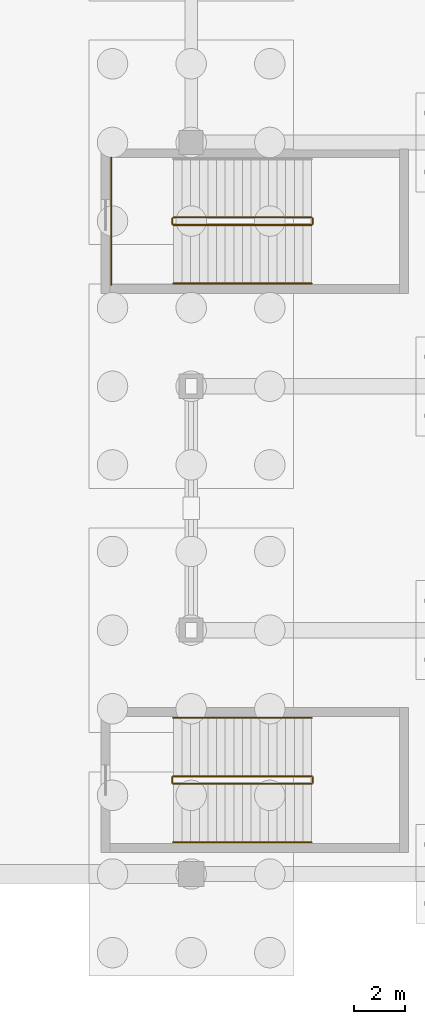
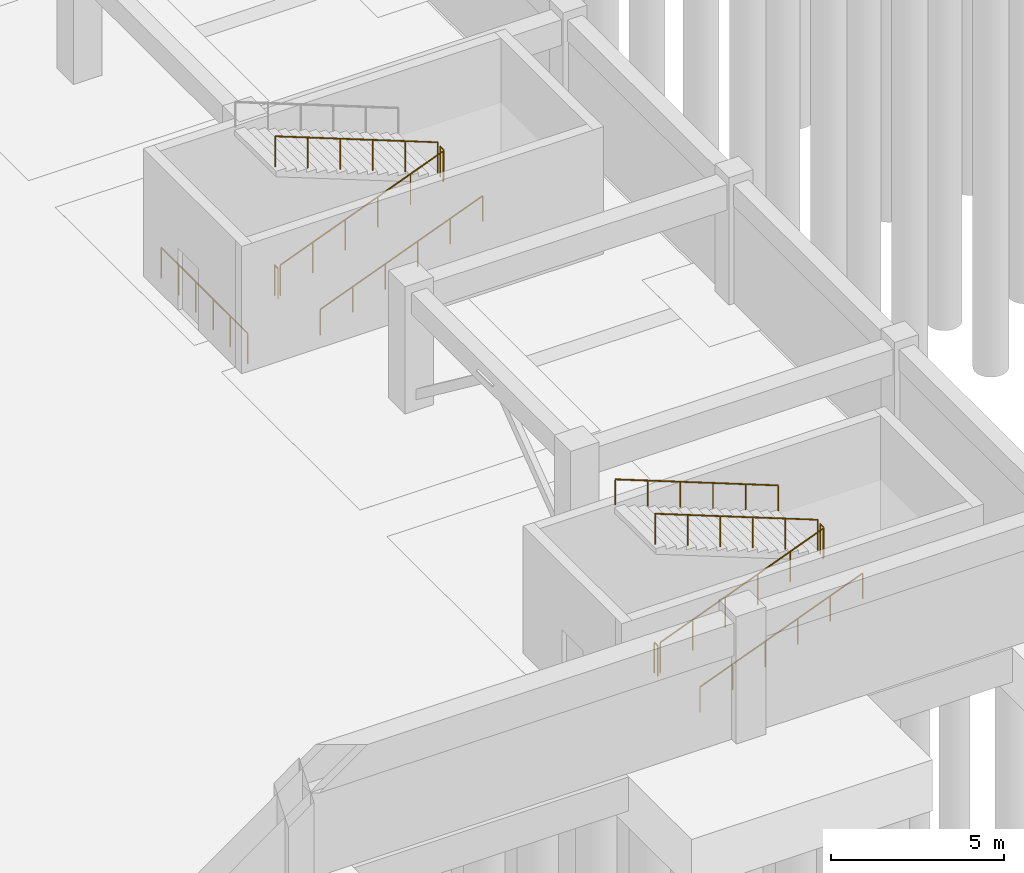
# One storey, part 26 of 33: 12 railings.
"""IFC4 building model written with IfcOpenShell, lengths in metres."""

from ifc_helpers import new_model, si_unit, direction, frame, origin, origin_2d, place, context, subcontext, project, spatial, circle, extrude, material, type_object, element, save


model = new_model("IFC4")

# Units and contexts
model_context = context("Model", 3, precision=1e-05, world=origin(), true_north=direction((0.0, 1.0)))
body_context = subcontext(model_context, "Body", "Model", "MODEL_VIEW")
ifc_project = project(units=[si_unit("LENGTHUNIT", "METRE"), si_unit("AREAUNIT", "SQUARE_METRE"), si_unit("VOLUMEUNIT", "CUBIC_METRE"), si_unit("PLANEANGLEUNIT", "RADIAN"), si_unit("MASSUNIT", "GRAM", prefix="KILO")], contexts=[model_context])

# Site, building, storey
site_placement = place(None, origin())
site = spatial("IfcSite", under=ifc_project, at=site_placement, CompositionType="ELEMENT")
building_placement = place(site_placement, origin())
building = spatial("IfcBuilding", under=site, at=building_placement, Name="Veldera Park Congress Hotel", CompositionType="ELEMENT")
storey_placement = place(building_placement, frame((0.0, 0.0, -4.5)))
storey = spatial("IfcBuildingStorey", under=building, at=storey_placement, Name="B1", CompositionType="ELEMENT", Elevation=-4.5)

# Railings
ifc_material = material(Name="Steel ASTM A992 Gr.50", Category="steel")
railing_type_1 = type_object("IfcRailingType", Name="GRD-ST110", PredefinedType="GUARDRAIL", material=ifc_material)
railing_1_placement = place(storey_placement, frame((-13.10009765625, -17.449951171875, 0.13232421875)))
element("IfcRailing", 1, at=railing_1_placement, inside=storey, type_object=railing_type_1, Name="B1 ST5 stair guard 1", PredefinedType="GUARDRAIL", context=body_context, shape_type="SweptSolid", body=[
    extrude(circle(Radius=0.02392578125, at=origin_2d()), frame((0.0, 0.0, 1.076171875), z_axis=(0.931886111629, 0.0, 0.362750982016), x_axis=(0.0, 1.0, 0.0)), (0.0, 0.0, 1.0), 5.837890625),
    extrude(circle(Radius=0.02099609375, at=origin_2d()), origin(), (0.0, 0.0, 1.0), 1.052001953125),
    extrude(circle(Radius=0.02099609375, at=origin_2d()), frame((1.088134765625, 0.0, 0.423583984375)), (0.0, 0.0, 1.0), 1.052001953125),
    extrude(circle(Radius=0.02099609375, at=origin_2d()), frame((2.176025390625, 0.0, 0.84716796875)), (0.0, 0.0, 1.0), 1.052001953125),
    extrude(circle(Radius=0.02099609375, at=origin_2d()), frame((3.26416015625, 0.0, 1.2705078125)), (0.0, 0.0, 1.0), 1.052001953125),
    extrude(circle(Radius=0.02099609375, at=origin_2d()), frame((4.35205078125, 0.0, 1.694091796875)), (0.0, 0.0, 1.0), 1.052001953125),
    extrude(circle(Radius=0.02099609375, at=origin_2d()), frame((5.440185546875, 0.0, 2.11767578125)), (0.0, 0.0, 1.0), 1.052001953125),
])
railing_2_placement = place(storey_placement, frame((-7.610107421875, -17.39990234375, 2.25)))
element("IfcRailing", 2, at=railing_2_placement, inside=storey, type_object=railing_type_1, Name="B1 ST5 stair guard 2", PredefinedType="GUARDRAIL", context=body_context, shape_type="SweptSolid", body=[
    extrude(circle(Radius=0.02392578125, at=origin_2d()), frame((0.0, 0.0, 1.076171875), z_axis=(0.0, 1.0, 0.0), x_axis=(-1.0, 0.0, 0.0)), (0.0, 0.0, 1.0), 0.199951171875),
    extrude(circle(Radius=0.02099609375, at=origin_2d()), origin(), (0.0, 0.0, 1.0), 1.052001953125),
    extrude(circle(Radius=0.02099609375, at=origin_2d()), frame((0.0, 0.199951171875, 0.0)), (0.0, 0.0, 1.0), 1.052001953125),
])
railing_3_placement = place(storey_placement, frame((-7.659912109375, -17.14990234375, 2.38232421875)))
element("IfcRailing", 3, at=railing_3_placement, inside=storey, type_object=railing_type_1, Name="B1 ST5 stair guard 3", PredefinedType="GUARDRAIL", context=body_context, shape_type="SweptSolid", body=[
    extrude(circle(Radius=0.02392578125, at=origin_2d()), frame((0.0, 0.0, 1.076171875), z_axis=(-0.931886111629, 0.0, 0.362750982016), x_axis=(0.0, -1.0, 0.0)), (0.0, 0.0, 1.0), 5.837890625),
    extrude(circle(Radius=0.02099609375, at=origin_2d()), origin(), (0.0, 0.0, 1.0), 1.052001953125),
    extrude(circle(Radius=0.02099609375, at=origin_2d()), frame((-1.088134765625, 0.0, 0.423583984375)), (0.0, 0.0, 1.0), 1.052001953125),
    extrude(circle(Radius=0.02099609375, at=origin_2d()), frame((-2.176025390625, 0.0, 0.84716796875)), (0.0, 0.0, 1.0), 1.052001953125),
    extrude(circle(Radius=0.02099609375, at=origin_2d()), frame((-3.26416015625, 0.0, 1.2705078125)), (0.0, 0.0, 1.0), 1.052001953125),
    extrude(circle(Radius=0.02099609375, at=origin_2d()), frame((-4.35205078125, 0.0, 1.694091796875)), (0.0, 0.0, 1.0), 1.052001953125),
    extrude(circle(Radius=0.02099609375, at=origin_2d()), frame((-5.440185546875, 0.0, 2.11767578125)), (0.0, 0.0, 1.0), 1.052001953125),
])
railing_4_placement = place(storey_placement, frame((-13.14990234375, -17.39990234375, 0.0)))
element("IfcRailing", 4, at=railing_4_placement, inside=storey, type_object=railing_type_1, Name="B1 ST5 stair guard 4", PredefinedType="GUARDRAIL", context=body_context, shape_type="SweptSolid", body=[
    extrude(circle(Radius=0.02392578125, at=origin_2d()), frame((0.0, 0.0, 1.076171875), z_axis=(0.0, 1.0, 0.0), x_axis=(-1.0, 0.0, 0.0)), (0.0, 0.0, 1.0), 0.199951171875),
    extrude(circle(Radius=0.02099609375, at=origin_2d()), origin(), (0.0, 0.0, 1.0), 1.052001953125),
    extrude(circle(Radius=0.02099609375, at=origin_2d()), frame((0.0, 0.199951171875, 0.0)), (0.0, 0.0, 1.0), 1.052001953125),
])
railing_5_placement = place(storey_placement, frame((-13.10009765625, 4.550048828125, 0.13232421875)))
element("IfcRailing", 5, at=railing_5_placement, inside=storey, type_object=railing_type_1, Name="B1 ST9 stair guard 1", PredefinedType="GUARDRAIL", context=body_context, shape_type="SweptSolid", body=[
    extrude(circle(Radius=0.02392578125, at=origin_2d()), frame((0.0, 0.0, 1.076171875), z_axis=(0.931886111629, 0.0, 0.362750982016), x_axis=(0.0, 1.0, 0.0)), (0.0, 0.0, 1.0), 5.837890625),
    extrude(circle(Radius=0.02099609375, at=origin_2d()), origin(), (0.0, 0.0, 1.0), 1.052001953125),
    extrude(circle(Radius=0.02099609375, at=origin_2d()), frame((1.088134765625, 0.0, 0.423583984375)), (0.0, 0.0, 1.0), 1.052001953125),
    extrude(circle(Radius=0.02099609375, at=origin_2d()), frame((2.176025390625, 0.0, 0.84716796875)), (0.0, 0.0, 1.0), 1.052001953125),
    extrude(circle(Radius=0.02099609375, at=origin_2d()), frame((3.26416015625, 0.0, 1.2705078125)), (0.0, 0.0, 1.0), 1.052001953125),
    extrude(circle(Radius=0.02099609375, at=origin_2d()), frame((4.35205078125, 0.0, 1.694091796875)), (0.0, 0.0, 1.0), 1.052001953125),
    extrude(circle(Radius=0.02099609375, at=origin_2d()), frame((5.440185546875, 0.0, 2.11767578125)), (0.0, 0.0, 1.0), 1.052001953125),
])
railing_6_placement = place(storey_placement, frame((-7.610107421875, 4.60009765625, 2.25)))
element("IfcRailing", 6, at=railing_6_placement, inside=storey, type_object=railing_type_1, Name="B1 ST9 stair guard 2", PredefinedType="GUARDRAIL", context=body_context, shape_type="SweptSolid", body=[
    extrude(circle(Radius=0.02392578125, at=origin_2d()), frame((0.0, 0.0, 1.076171875), z_axis=(0.0, 1.0, 0.0), x_axis=(-1.0, 0.0, 0.0)), (0.0, 0.0, 1.0), 0.199951171875),
    extrude(circle(Radius=0.02099609375, at=origin_2d()), origin(), (0.0, 0.0, 1.0), 1.052001953125),
    extrude(circle(Radius=0.02099609375, at=origin_2d()), frame((0.0, 0.199951171875, 0.0)), (0.0, 0.0, 1.0), 1.052001953125),
])
railing_7_placement = place(storey_placement, frame((-7.659912109375, 4.85009765625, 2.38232421875)))
element("IfcRailing", 7, at=railing_7_placement, inside=storey, type_object=railing_type_1, Name="B1 ST9 stair guard 3", PredefinedType="GUARDRAIL", context=body_context, shape_type="SweptSolid", body=[
    extrude(circle(Radius=0.02392578125, at=origin_2d()), frame((0.0, 0.0, 1.076171875), z_axis=(-0.931886111629, 0.0, 0.362750982016), x_axis=(0.0, -1.0, 0.0)), (0.0, 0.0, 1.0), 5.837890625),
    extrude(circle(Radius=0.02099609375, at=origin_2d()), origin(), (0.0, 0.0, 1.0), 1.052001953125),
    extrude(circle(Radius=0.02099609375, at=origin_2d()), frame((-1.088134765625, 0.0, 0.423583984375)), (0.0, 0.0, 1.0), 1.052001953125),
    extrude(circle(Radius=0.02099609375, at=origin_2d()), frame((-2.176025390625, 0.0, 0.84716796875)), (0.0, 0.0, 1.0), 1.052001953125),
    extrude(circle(Radius=0.02099609375, at=origin_2d()), frame((-3.26416015625, 0.0, 1.2705078125)), (0.0, 0.0, 1.0), 1.052001953125),
    extrude(circle(Radius=0.02099609375, at=origin_2d()), frame((-4.35205078125, 0.0, 1.694091796875)), (0.0, 0.0, 1.0), 1.052001953125),
    extrude(circle(Radius=0.02099609375, at=origin_2d()), frame((-5.440185546875, 0.0, 2.11767578125)), (0.0, 0.0, 1.0), 1.052001953125),
])
railing_8_placement = place(storey_placement, frame((-13.14990234375, 4.60009765625, 0.0)))
element("IfcRailing", 8, at=railing_8_placement, inside=storey, type_object=railing_type_1, Name="B1 ST9 stair guard 4", PredefinedType="GUARDRAIL", context=body_context, shape_type="SweptSolid", body=[
    extrude(circle(Radius=0.02392578125, at=origin_2d()), frame((0.0, 0.0, 1.076171875), z_axis=(0.0, 1.0, 0.0), x_axis=(-1.0, 0.0, 0.0)), (0.0, 0.0, 1.0), 0.199951171875),
    extrude(circle(Radius=0.02099609375, at=origin_2d()), origin(), (0.0, 0.0, 1.0), 1.052001953125),
    extrude(circle(Radius=0.02099609375, at=origin_2d()), frame((0.0, 0.199951171875, 0.0)), (0.0, 0.0, 1.0), 1.052001953125),
])
railing_9_placement = place(storey_placement, frame((-15.550048828125, 2.199951171875, 0.0)))
element("IfcRailing", 9, at=railing_9_placement, inside=storey, type_object=railing_type_1, Name="B1 ST9 stair guard 5", PredefinedType="GUARDRAIL", context=body_context, shape_type="SweptSolid", body=[
    extrude(circle(Radius=0.02392578125, at=origin_2d()), frame((0.0, 0.0, 1.076171875), z_axis=(0.0, 1.0, 0.0), x_axis=(-1.0, 0.0, 0.0)), (0.0, 0.0, 1.0), 5.0),
    extrude(circle(Radius=0.02099609375, at=origin_2d()), origin(), (0.0, 0.0, 1.0), 1.052001953125),
    extrude(circle(Radius=0.02099609375, at=origin_2d()), frame((0.0, 1.0, 0.0)), (0.0, 0.0, 1.0), 1.052001953125),
    extrude(circle(Radius=0.02099609375, at=origin_2d()), frame((0.0, 2.0, 0.0)), (0.0, 0.0, 1.0), 1.052001953125),
    extrude(circle(Radius=0.02099609375, at=origin_2d()), frame((0.0, 3.0, 0.0)), (0.0, 0.0, 1.0), 1.052001953125),
    extrude(circle(Radius=0.02099609375, at=origin_2d()), frame((0.0, 4.0, 0.0)), (0.0, 0.0, 1.0), 1.052001953125),
    extrude(circle(Radius=0.02099609375, at=origin_2d()), frame((0.0, 5.0, 0.0)), (0.0, 0.0, 1.0), 1.052001953125),
])
railing_type_2 = type_object("IfcRailingType", Name="HRL-920", PredefinedType="HANDRAIL", material=ifc_material)
railing_10_placement = place(storey_placement, frame((-13.10009765625, -19.75, 0.13232421875)))
element("IfcRailing", 10, at=railing_10_placement, inside=storey, type_object=railing_type_2, Name="B1 ST5 stair handrail 1", PredefinedType="HANDRAIL", context=body_context, shape_type="SweptSolid", body=[
    extrude(circle(Radius=0.02392578125, at=origin_2d()), frame((0.0, 0.0, 0.89599609375), z_axis=(0.931886111629, 0.0, 0.362750982016), x_axis=(0.0, 1.0, 0.0)), (0.0, 0.0, 1.0), 5.837890625),
    extrude(circle(Radius=0.02099609375, at=origin_2d()), origin(), (0.0, 0.0, 1.0), 0.871826171875),
    extrude(circle(Radius=0.02099609375, at=origin_2d()), frame((1.088134765625, 0.0, 0.423583984375)), (0.0, 0.0, 1.0), 0.871826171875),
    extrude(circle(Radius=0.02099609375, at=origin_2d()), frame((2.176025390625, 0.0, 0.84716796875)), (0.0, 0.0, 1.0), 0.871826171875),
    extrude(circle(Radius=0.02099609375, at=origin_2d()), frame((3.26416015625, 0.0, 1.2705078125)), (0.0, 0.0, 1.0), 0.871826171875),
    extrude(circle(Radius=0.02099609375, at=origin_2d()), frame((4.35205078125, 0.0, 1.694091796875)), (0.0, 0.0, 1.0), 0.871826171875),
    extrude(circle(Radius=0.02099609375, at=origin_2d()), frame((5.440185546875, 0.0, 2.11767578125)), (0.0, 0.0, 1.0), 0.871826171875),
])
railing_11_placement = place(storey_placement, frame((-7.659912109375, -14.85009765625, 2.38232421875)))
element("IfcRailing", 11, at=railing_11_placement, inside=storey, type_object=railing_type_2, Name="B1 ST5 stair handrail 2", PredefinedType="HANDRAIL", context=body_context, shape_type="SweptSolid", body=[
    extrude(circle(Radius=0.02392578125, at=origin_2d()), frame((0.0, 0.0, 0.89599609375), z_axis=(-0.931886111629, 0.0, 0.362750982016), x_axis=(0.0, -1.0, 0.0)), (0.0, 0.0, 1.0), 5.837890625),
    extrude(circle(Radius=0.02099609375, at=origin_2d()), origin(), (0.0, 0.0, 1.0), 0.871826171875),
    extrude(circle(Radius=0.02099609375, at=origin_2d()), frame((-1.088134765625, 0.0, 0.423583984375)), (0.0, 0.0, 1.0), 0.871826171875),
    extrude(circle(Radius=0.02099609375, at=origin_2d()), frame((-2.176025390625, 0.0, 0.84716796875)), (0.0, 0.0, 1.0), 0.871826171875),
    extrude(circle(Radius=0.02099609375, at=origin_2d()), frame((-3.26416015625, 0.0, 1.2705078125)), (0.0, 0.0, 1.0), 0.871826171875),
    extrude(circle(Radius=0.02099609375, at=origin_2d()), frame((-4.35205078125, 0.0, 1.694091796875)), (0.0, 0.0, 1.0), 0.871826171875),
    extrude(circle(Radius=0.02099609375, at=origin_2d()), frame((-5.440185546875, 0.0, 2.11767578125)), (0.0, 0.0, 1.0), 0.871826171875),
])
railing_12_placement = place(storey_placement, frame((-13.10009765625, 2.25, 0.13232421875)))
element("IfcRailing", 12, at=railing_12_placement, inside=storey, type_object=railing_type_2, Name="B1 ST9 stair handrail 1", PredefinedType="HANDRAIL", context=body_context, shape_type="SweptSolid", body=[
    extrude(circle(Radius=0.02392578125, at=origin_2d()), frame((0.0, 0.0, 0.89599609375), z_axis=(0.931886111629, 0.0, 0.362750982016), x_axis=(0.0, 1.0, 0.0)), (0.0, 0.0, 1.0), 5.837890625),
    extrude(circle(Radius=0.02099609375, at=origin_2d()), origin(), (0.0, 0.0, 1.0), 0.871826171875),
    extrude(circle(Radius=0.02099609375, at=origin_2d()), frame((1.088134765625, 0.0, 0.423583984375)), (0.0, 0.0, 1.0), 0.871826171875),
    extrude(circle(Radius=0.02099609375, at=origin_2d()), frame((2.176025390625, 0.0, 0.84716796875)), (0.0, 0.0, 1.0), 0.871826171875),
    extrude(circle(Radius=0.02099609375, at=origin_2d()), frame((3.26416015625, 0.0, 1.2705078125)), (0.0, 0.0, 1.0), 0.871826171875),
    extrude(circle(Radius=0.02099609375, at=origin_2d()), frame((4.35205078125, 0.0, 1.694091796875)), (0.0, 0.0, 1.0), 0.871826171875),
    extrude(circle(Radius=0.02099609375, at=origin_2d()), frame((5.440185546875, 0.0, 2.11767578125)), (0.0, 0.0, 1.0), 0.871826171875),
])

save(model, "model.ifc")
